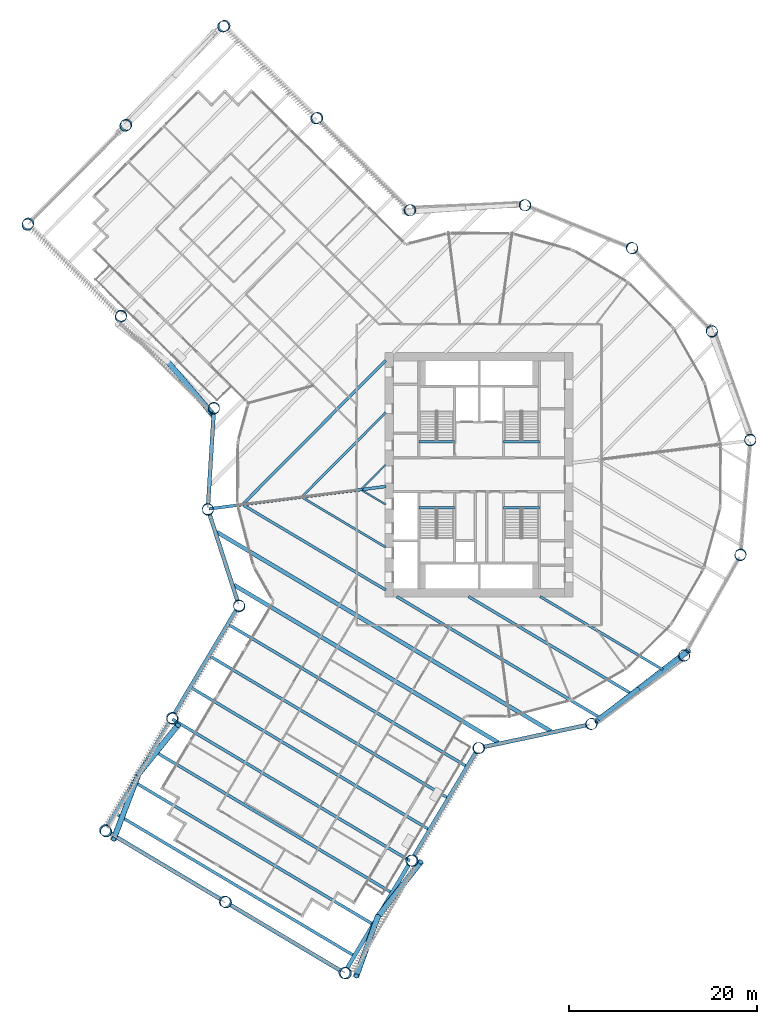
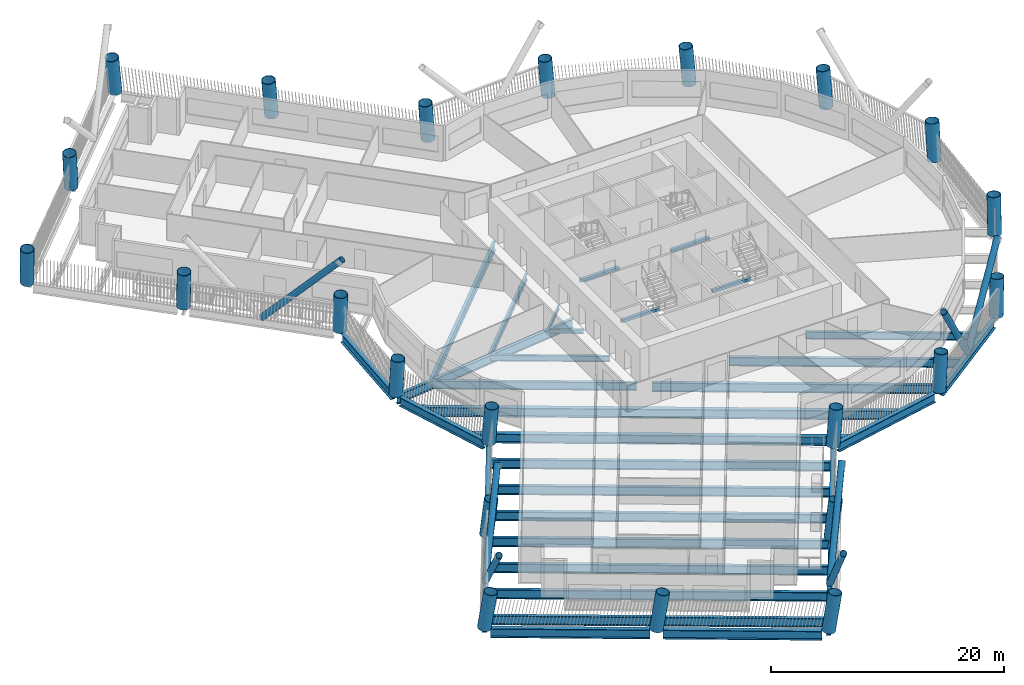
# One storey, part 1 of 22: 33 beams, 22 columns, 7 members.
"""IFC4 building model written with IfcOpenShell, lengths in metres."""

from ifc_helpers import new_model, si_unit, direction, frame, origin, origin_2d, place, context, subcontext, project, spatial, rectangle, hollow_circle, i_section, extrude, material, material_profile, profile_set, type_object, element, save


model = new_model("IFC4")

# Units and contexts
model_context = context("Model", 3, precision=1e-05, world=origin(), true_north=direction((0.0, 1.0)))
body_context = subcontext(model_context, "Body", "Model", "MODEL_VIEW")
ifc_project = project(units=[si_unit("LENGTHUNIT", "METRE"), si_unit("AREAUNIT", "SQUARE_METRE"), si_unit("VOLUMEUNIT", "CUBIC_METRE"), si_unit("PLANEANGLEUNIT", "RADIAN"), si_unit("MASSUNIT", "GRAM", prefix="KILO")], contexts=[model_context])

# Site, building, storey
site_placement = place(None, origin())
site = spatial("IfcSite", under=ifc_project, at=site_placement, CompositionType="ELEMENT")
building_placement = place(site_placement, origin())
building = spatial("IfcBuilding", under=site, at=building_placement, Name="Tarsis Ring Headquarters", CompositionType="ELEMENT")
storey_placement = place(building_placement, frame((0.0, 0.0, 79.0)))
storey = spatial("IfcBuildingStorey", under=building, at=storey_placement, Name="L17", CompositionType="ELEMENT", Elevation=79.0)

# Columns
ifc_material_1 = material(Name="Structural steel S460", Category="steel")
ifc_material_profile_1 = material_profile(ifc_material_1, hollow_circle(Radius=0.609619140625, WallThickness=0.050048828125, at=origin_2d()), Name="CHS 1219x50")
ifc_profile_set_1 = profile_set([ifc_material_profile_1], Name="Structural steel S460")
column_type = type_object("IfcColumnType", Name="XC Exo column CHS 1219x50", PredefinedType="COLUMN", material=ifc_profile_set_1)
for number, where, z_axis, x_axis, name in (
    (1, (-28.8193359375, -3.640869140625, 0.000732421875), (0.010138693156, -0.077104135605, 0.996971493662), (0.991465248625, 0.130371242108, 0.0), "Exo column XC1 F1"),
    (2, (-25.511474609375, -13.891845703125, 0.000732421875), (0.037550579124, -0.06815430111, 0.996967875735), (0.875859069396, 0.482566980384, 0.0), "Exo column XC1 AK"),
):
    element("IfcColumn", number, at=place(storey_placement, frame(where, z_axis=z_axis, x_axis=x_axis)), inside=storey, type_object=column_type, Name=name, PredefinedType="COLUMN", context=body_context, shape_type="SweptSolid", body=[
        extrude(hollow_circle(Radius=0.609619140625, WallThickness=0.050048828125, at=origin_2d()), origin(), (0.0, 0.0, 1.0), 3.90087890625),
    ])
column_1_placement = place(storey_placement, frame((-32.6298828125, -25.83349609375, 0.000732421875), z_axis=(0.069385421663, -0.086684937235, 0.993816575087), x_axis=(0.780704157849, 0.624900806463, 0.0)))
element("IfcColumn", 3, at=column_1_placement, inside=storey, type_object=column_type, Name="Exo column XC1 AI1", PredefinedType="COLUMN", context=body_context, shape_type="SweptSolid", body=[
    extrude(hollow_circle(Radius=0.609619140625, WallThickness=0.050048828125, at=origin_2d()), origin(), (0.0, 0.0, 1.0), 3.9091796875),
])
column_2_placement = place(storey_placement, frame((-39.748291015625, -37.77490234375, 0.0009765625), z_axis=(0.100894025085, -0.105064228466, 0.989334070776), x_axis=(0.721276307206, 0.692647449041, 0.0)))
element("IfcColumn", 4, at=column_2_placement, inside=storey, type_object=column_type, Name="Exo column XC1 AT1", PredefinedType="COLUMN", context=body_context, shape_type="SweptSolid", body=[
    extrude(hollow_circle(Radius=0.609619140625, WallThickness=0.050048828125, at=origin_2d()), origin(), (0.0, 0.0, 1.0), 3.92236328125),
])
column_3_placement = place(storey_placement, frame((-27.03564453125, -45.353271484375, 0.0009765625), z_axis=(0.120952305837, -0.071188715536, 0.990102371724), x_axis=(0.507233441879, 0.861808700025, 0.0)))
element("IfcColumn", 5, at=column_3_placement, inside=storey, type_object=column_type, Name="Exo column XC1 AT2", PredefinedType="COLUMN", context=body_context, shape_type="SweptSolid", body=[
    extrude(hollow_circle(Radius=0.609619140625, WallThickness=0.050048828125, at=origin_2d()), origin(), (0.0, 0.0, 1.0), 3.919921875),
])
column_4_placement = place(storey_placement, frame((-14.3232421875, -52.931396484375, 0.0009765625), z_axis=(0.140852472925, -0.037282647495, 0.989328350482), x_axis=(0.255880818891, 0.96670833581, 0.0)))
element("IfcColumn", 6, at=column_4_placement, inside=storey, type_object=column_type, Name="Exo column XC1 AT3", PredefinedType="COLUMN", context=body_context, shape_type="SweptSolid", body=[
    extrude(hollow_circle(Radius=0.609619140625, WallThickness=0.050048828125, at=origin_2d()), origin(), (0.0, 0.0, 1.0), 3.92236328125),
])
column_5_placement = place(storey_placement, frame((-7.20458984375, -40.98974609375, 0.000732421875), z_axis=(0.109479997922, -0.018673428054, 0.993813580678), x_axis=(0.168136538051, 0.985763716401, 0.0)))
element("IfcColumn", 7, at=column_5_placement, inside=storey, type_object=column_type, Name="Exo column XC1 AO1", PredefinedType="COLUMN", context=body_context, shape_type="SweptSolid", body=[
    extrude(hollow_circle(Radius=0.609619140625, WallThickness=0.050048828125, at=origin_2d()), origin(), (0.0, 0.0, 1.0), 3.9091796875),
])
for number, where, z_axis, x_axis, name in (
    (8, (-0.086181640625, -29.04833984375, 0.000732421875), (0.077792414561, 0.000187753213, 0.996969560712), (-0.002413508658, 0.999997087484, 0.0), "Exo column XC1 AJ"),
    (9, (11.89501953125, -26.50146484375, 0.000732421875), (0.070783054432, 0.032231010639, 0.996970872773), (-0.414409116709, 0.910090700968, 0.0), "Exo column XC1 R1"),
    (10, (21.76123046875, -19.242431640625, 0.000732421875), (0.051194214071, 0.058516613883, 0.996972897498), (-0.752626556596, 0.658447618498, 0.0), "Exo column XC1 R2"),
    (11, (27.758056640625, -8.56201171875, 0.000732421875), (0.022530462196, 0.074413109864, 0.996972952168), (-0.957092078566, 0.289783976689, 0.0), "Exo column XC1 R3"),
    (12, (28.8193359375, 3.640869140625, 0.000732421875), (-0.010138693156, 0.077104135605, 0.996971493662), (-0.991465248625, -0.130371242108, 0.0), "Exo column XC1 R4"),
    (13, (24.756591796875, 15.1962890625, 0.000732421875), (-0.040993026311, 0.066026935508, 0.99697543379), (-0.849577949261, -0.527463086982, 0.0), "Exo column XC1 R5"),
    (14, (16.2919921875, 24.049560546875, 0.000732421875), (-0.064587253242, 0.043308507019, 0.996971845108), (-0.55692690447, -0.830561510713, 0.0), "Exo column XC1 R6"),
    (15, (4.9306640625, 28.626953125, 0.000732421875), (-0.076728473227, 0.012829801804, 0.996969476755), (-0.164920796748, -0.986306813725, 0.0), "Exo column XC1 R7"),
    (16, (-7.3076171875, 28.1142578125, 0.000732421875), (-0.075164001473, -0.019964460008, 0.996971310128), (0.256710866525, -0.966488246699, 0.0), "Exo column XC1 BJ"),
):
    element("IfcColumn", number, at=place(storey_placement, frame(where, z_axis=z_axis, x_axis=x_axis)), inside=storey, type_object=column_type, Name=name, PredefinedType="COLUMN", context=body_context, shape_type="SweptSolid", body=[
        extrude(hollow_circle(Radius=0.609619140625, WallThickness=0.050048828125, at=origin_2d()), origin(), (0.0, 0.0, 1.0), 3.90087890625),
    ])
column_6_placement = place(storey_placement, frame((-17.172119140625, 37.910400390625, 0.000732421875), z_axis=(-0.100923730085, -0.04640243283, 0.993811458443), x_axis=(0.417738546361, -0.90856728253, 0.0)))
element("IfcColumn", 17, at=column_6_placement, inside=storey, type_object=column_type, Name="Exo column XC1 BO1", PredefinedType="COLUMN", context=body_context, shape_type="SweptSolid", body=[
    extrude(hollow_circle(Radius=0.609619140625, WallThickness=0.050048828125, at=origin_2d()), origin(), (0.0, 0.0, 1.0), 3.9091796875),
])
column_7_placement = place(storey_placement, frame((-27.036865234375, 47.706298828125, 0.0009765625), z_axis=(-0.126350659254, -0.072511585237, 0.989331886129), x_axis=(0.497748496047, -0.867321413712, 0.0)))
element("IfcColumn", 18, at=column_7_placement, inside=storey, type_object=column_type, Name="Exo column XC1 BT3", PredefinedType="COLUMN", context=body_context, shape_type="SweptSolid", body=[
    extrude(hollow_circle(Radius=0.609619140625, WallThickness=0.050048828125, at=origin_2d()), origin(), (0.0, 0.0, 1.0), 3.92236328125),
])
column_8_placement = place(storey_placement, frame((-37.46533203125, 37.20458984375, 0.0009765625), z_axis=(-0.098405287118, -0.100149178282, 0.990094208425), x_axis=(0.713289743756, -0.700869275581, 0.0)))
element("IfcColumn", 19, at=column_8_placement, inside=storey, type_object=column_type, Name="Exo column XC1 BT2", PredefinedType="COLUMN", context=body_context, shape_type="SweptSolid", body=[
    extrude(hollow_circle(Radius=0.609619140625, WallThickness=0.050048828125, at=origin_2d()), origin(), (0.0, 0.0, 1.0), 3.919921875),
])
column_9_placement = place(storey_placement, frame((-47.89404296875, 26.702880859375, 0.0009765625), z_axis=(-0.070271017829, -0.127595736536, 0.989333771824), x_axis=(0.87594512597, -0.482410754741, 0.0)))
element("IfcColumn", 20, at=column_9_placement, inside=storey, type_object=column_type, Name="Exo column XC1 BT1", PredefinedType="COLUMN", context=body_context, shape_type="SweptSolid", body=[
    extrude(hollow_circle(Radius=0.609619140625, WallThickness=0.050048828125, at=origin_2d()), origin(), (0.0, 0.0, 1.0), 3.92236328125),
])
column_10_placement = place(storey_placement, frame((-38.029296875, 16.906982421875, 0.000732421875), z_axis=(-0.044591307448, -0.101735630019, 0.993811590235), x_axis=(0.915886145117, -0.401438126221, 0.0)))
element("IfcColumn", 21, at=column_10_placement, inside=storey, type_object=column_type, Name="Exo column XC1 BI1", PredefinedType="COLUMN", context=body_context, shape_type="SweptSolid", body=[
    extrude(hollow_circle(Radius=0.609619140625, WallThickness=0.050048828125, at=origin_2d()), origin(), (0.0, 0.0, 1.0), 3.9091796875),
])
column_11_placement = place(storey_placement, frame((-28.164794921875, 7.111083984375, 0.000732421875), z_axis=(-0.018587568081, -0.075539376006, 0.996969560712), x_axis=(0.971034983582, -0.238937357186, 0.0)))
element("IfcColumn", 22, at=column_11_placement, inside=storey, type_object=column_type, Name="Exo column XC1 BK", PredefinedType="COLUMN", context=body_context, shape_type="SweptSolid", body=[
    extrude(hollow_circle(Radius=0.609619140625, WallThickness=0.050048828125, at=origin_2d()), origin(), (0.0, 0.0, 1.0), 3.90087890625),
])

# Beams
ifc_material_2 = material(Name="Structural steel S355", Category="steel")
ifc_material_profile_2 = material_profile(ifc_material_2, i_section(OverallWidth=0.177734375, OverallDepth=0.406494140625, WebThickness=0.0078125, FlangeThickness=0.0126953125, at=origin_2d()), Name="W16x40")
ifc_profile_set_2 = profile_set([ifc_material_profile_2], Name="Structural steel S355")
beam_type_1 = type_object("IfcBeamType", Name="FB Floor beam W16x40", PredefinedType="JOIST", material=ifc_profile_set_2)
beam_1_placement = place(storey_placement, frame((-12.439208984375, -1.66552734375, -0.36328125), z_axis=(0.858984202727, -0.512002089318, 0.0), x_axis=(0.512002089318, 0.858984202727, 0.0)))
element("IfcBeam", 23, at=beam_1_placement, inside=storey, type_object=beam_type_1, Name="Floor beam FB1", PredefinedType="JOIST", context=body_context, shape_type="SweptSolid", body=[
    extrude(i_section(OverallWidth=0.177734375, OverallDepth=0.406494140625, WebThickness=0.0078125, FlangeThickness=0.0126953125, at=origin_2d()), origin(), (0.0, 0.0, 1.0), 2.939697265625),
])
beam_2_placement = place(storey_placement, frame((-9.929443359375, 1.070556640625, -0.36328125), z_axis=(-0.704623519505, -0.709581352461, 0.0), x_axis=(0.709581352461, -0.704623519505, 0.0)))
element("IfcBeam", 24, at=beam_2_placement, inside=storey, type_object=beam_type_1, Name="Floor beam FB1", PredefinedType="JOIST", context=body_context, shape_type="SweptSolid", body=[
    extrude(i_section(OverallWidth=0.177734375, OverallDepth=0.406494140625, WebThickness=0.0078125, FlangeThickness=0.0126953125, at=origin_2d()), origin(), (0.0, 0.0, 1.0), 3.5947265625),
])
ifc_material_profile_3 = material_profile(ifc_material_2, i_section(OverallWidth=0.228271484375, OverallDepth=0.607177734375, WebThickness=0.01123046875, FlangeThickness=0.017333984375, at=origin_2d()), Name="W24x76")
ifc_profile_set_3 = profile_set([ifc_material_profile_3], Name="Structural steel S355")
beam_type_2 = type_object("IfcBeamType", Name="FB Floor beam W24x76", PredefinedType="JOIST", material=ifc_profile_set_3)
beam_3_placement = place(storey_placement, frame((-18.723876953125, -2.45947265625, -0.463623046875), z_axis=(0.858959658473, -0.512043264886, 0.0), x_axis=(0.512043264886, 0.858959658473, 0.0)))
element("IfcBeam", 25, at=beam_3_placement, inside=storey, type_object=beam_type_2, Name="Floor beam FB4", PredefinedType="JOIST", context=body_context, shape_type="SweptSolid", body=[
    extrude(i_section(OverallWidth=0.228271484375, OverallDepth=0.607177734375, WebThickness=0.01123046875, FlangeThickness=0.017333984375, at=origin_2d()), origin(), (0.0, 0.0, 1.0), 10.25634765625),
])
ifc_material_profile_4 = material_profile(ifc_material_2, i_section(OverallWidth=0.2529296875, OverallDepth=0.67822265625, WebThickness=0.01171875, FlangeThickness=0.016357421875, at=origin_2d()), Name="W27x84")
ifc_profile_set_4 = profile_set([ifc_material_profile_4], Name="Structural steel S355")
beam_type_3 = type_object("IfcBeamType", Name="FB Floor beam W27x84", PredefinedType="JOIST", material=ifc_profile_set_4)
beam_4_placement = place(storey_placement, frame((-9.929443359375, 6.605224609375, -0.4990234375), z_axis=(-0.704644310653, -0.709560705976, 0.0), x_axis=(0.709560705976, -0.704644310653, 0.0)))
element("IfcBeam", 26, at=beam_4_placement, inside=storey, type_object=beam_type_3, Name="Floor beam FB5", PredefinedType="JOIST", context=body_context, shape_type="SweptSolid", body=[
    extrude(i_section(OverallWidth=0.2529296875, OverallDepth=0.67822265625, WebThickness=0.01171875, FlangeThickness=0.016357421875, at=origin_2d()), origin(), (0.0, 0.0, 1.0), 12.513916015625),
])
ifc_material_profile_5 = material_profile(ifc_material_2, i_section(OverallWidth=0.2666015625, OverallDepth=0.7568359375, WebThickness=0.013916015625, FlangeThickness=0.019287109375, at=origin_2d()), Name="W30x108")
ifc_profile_set_5 = profile_set([ifc_material_profile_5], Name="Structural steel S355")
beam_type_4 = type_object("IfcBeamType", Name="FB Floor beam W30x108", PredefinedType="JOIST", material=ifc_profile_set_5)
beam_5_placement = place(storey_placement, frame((6.48876953125, -12.94873046875, -0.538330078125), z_axis=(0.858959750332, -0.512043110793, 0.0), x_axis=(0.512043110793, 0.858959750332, 0.0)))
element("IfcBeam", 27, at=beam_5_placement, inside=storey, type_object=beam_type_4, Name="Floor beam FB6", PredefinedType="JOIST", context=body_context, shape_type="SweptSolid", body=[
    extrude(i_section(OverallWidth=0.2666015625, OverallDepth=0.7568359375, WebThickness=0.013916015625, FlangeThickness=0.019287109375, at=origin_2d()), origin(), (0.0, 0.0, 1.0), 15.193115234375),
])
ifc_material_profile_6 = material_profile(ifc_material_2, i_section(OverallWidth=0.2919921875, OverallDepth=0.835693359375, WebThickness=0.013916015625, FlangeThickness=0.018798828125, at=origin_2d()), Name="W33x118")
ifc_profile_set_6 = profile_set([ifc_material_profile_6], Name="Structural steel S355")
beam_type_5 = type_object("IfcBeamType", Name="FB Floor beam W33x118", PredefinedType="JOIST", material=ifc_profile_set_6)
beam_6_placement = place(storey_placement, frame((-25.008544921875, -3.25341796875, -0.577880859375), z_axis=(0.858961662892, -0.51203990243, 0.0), x_axis=(0.51203990243, 0.858961662892, 0.0)))
element("IfcBeam", 28, at=beam_6_placement, inside=storey, type_object=beam_type_5, Name="Floor beam FB7", PredefinedType="JOIST", context=body_context, shape_type="SweptSolid", body=[
    extrude(i_section(OverallWidth=0.2919921875, OverallDepth=0.835693359375, WebThickness=0.013916015625, FlangeThickness=0.018798828125, at=origin_2d()), origin(), (0.0, 0.0, 1.0), 17.572998046875),
])
ifc_material_profile_7 = material_profile(ifc_material_2, i_section(OverallWidth=0.3046875, OverallDepth=0.904296875, WebThickness=0.01513671875, FlangeThickness=0.02001953125, at=origin_2d()), Name="W36x135")
ifc_profile_set_7 = profile_set([ifc_material_profile_7], Name="Structural steel S355")
beam_type_6 = type_object("IfcBeamType", Name="FB Floor beam W36x135", PredefinedType="JOIST", material=ifc_profile_set_7)
beam_7_placement = place(storey_placement, frame((-1.1279296875, -12.94873046875, -0.612060546875), z_axis=(0.858960438105, -0.512041957041, 0.0), x_axis=(0.512041957041, 0.858960438105, 0.0)))
element("IfcBeam", 29, at=beam_7_placement, inside=storey, type_object=beam_type_6, Name="Floor beam FB8", PredefinedType="JOIST", context=body_context, shape_type="SweptSolid", body=[
    extrude(i_section(OverallWidth=0.3046875, OverallDepth=0.904296875, WebThickness=0.01513671875, FlangeThickness=0.02001953125, at=origin_2d()), origin(), (0.0, 0.0, 1.0), 20.091796875),
])
ifc_material_profile_8 = material_profile(ifc_material_2, i_section(OverallWidth=0.3046875, OverallDepth=0.91943359375, WebThickness=0.017333984375, FlangeThickness=0.02783203125, at=origin_2d()), Name="W36x170")
ifc_profile_set_8 = profile_set([ifc_material_profile_8], Name="Structural steel S355")
beam_type_7 = type_object("IfcBeamType", Name="FB Floor beam W36x170", PredefinedType="JOIST", material=ifc_profile_set_8)
beam_8_placement = place(storey_placement, frame((-9.929443359375, 12.14013671875, -0.61962890625), z_axis=(-0.704636367374, -0.709568594129, 0.0), x_axis=(0.709568594129, -0.704636367374, 0.0)))
element("IfcBeam", 30, at=beam_8_placement, inside=storey, type_object=beam_type_7, Name="Floor beam FB9", PredefinedType="JOIST", context=body_context, shape_type="SweptSolid", body=[
    extrude(i_section(OverallWidth=0.3046875, OverallDepth=0.91943359375, WebThickness=0.017333984375, FlangeThickness=0.02783203125, at=origin_2d()), origin(), (0.0, 0.0, 1.0), 21.43310546875),
])
ifc_material_profile_9 = material_profile(ifc_material_2, i_section(OverallWidth=0.309814453125, OverallDepth=0.93212890625, WebThickness=0.02099609375, FlangeThickness=0.034423828125, at=origin_2d()), Name="W36x210")
ifc_profile_set_9 = profile_set([ifc_material_profile_9], Name="Structural steel S355")
beam_type_8 = type_object("IfcBeamType", Name="FB Floor beam W36x210", PredefinedType="JOIST", material=ifc_profile_set_9)
beam_9_placement = place(storey_placement, frame((-8.744384765625, -12.94873046875, -0.626220703125), z_axis=(0.858960030232, -0.512042641256, 0.0), x_axis=(0.512042641256, 0.858960030232, 0.0)))
element("IfcBeam", 31, at=beam_9_placement, inside=storey, type_object=beam_type_8, Name="Floor beam FB10", PredefinedType="JOIST", context=body_context, shape_type="SweptSolid", body=[
    extrude(i_section(OverallWidth=0.309814453125, OverallDepth=0.93212890625, WebThickness=0.02099609375, FlangeThickness=0.034423828125, at=origin_2d()), origin(), (0.0, 0.0, 1.0), 24.989990234375),
])
ifc_material_profile_10 = material_profile(ifc_material_2, i_section(OverallWidth=0.309814453125, OverallDepth=0.949951171875, WebThickness=0.0244140625, FlangeThickness=0.0439453125, at=origin_2d()), Name="W36x256")
ifc_profile_set_10 = profile_set([ifc_material_profile_10], Name="Structural steel S355")
beam_type_9 = type_object("IfcBeamType", Name="FB Floor beam W36x256", PredefinedType="JOIST", material=ifc_profile_set_10)
for number, where, z_axis, x_axis, name in (
    (32, (-26.594970703125, -15.9287109375, -0.635009765625), (0.858956815706, -0.512048033637, 0.0), (0.512048033637, 0.858956815706, 0.0), "Floor beam FB11"),
    (33, (-28.592041015625, -19.27880859375, -0.635009765625), (0.858962650113, -0.512038246335, 0.0), (0.512038246335, 0.858962650113, 0.0), "Floor beam FB11"),
):
    element("IfcBeam", number, at=place(storey_placement, frame(where, z_axis=z_axis, x_axis=x_axis)), inside=storey, type_object=beam_type_9, Name=name, PredefinedType="JOIST", context=body_context, shape_type="SweptSolid", body=[
        extrude(i_section(OverallWidth=0.309814453125, OverallDepth=0.949951171875, WebThickness=0.0244140625, FlangeThickness=0.0439453125, at=origin_2d()), origin(), (0.0, 0.0, 1.0), 29.375732421875),
    ])
for number, where, z_axis, x_axis, name in (
    (34, (-30.589111328125, -22.628662109375, -0.635009765625), (0.858958994766, -0.512044378262, 0.0), (0.512044378262, 0.858958994766, 0.0), "Floor beam FB11"),
    (35, (-32.5859375, -25.978515625, -0.635009765625), (0.858958994766, -0.512044378262, 0.0), (0.512044378262, 0.858958994766, 0.0), "Floor beam FB11"),
):
    element("IfcBeam", number, at=place(storey_placement, frame(where, z_axis=z_axis, x_axis=x_axis)), inside=storey, type_object=beam_type_9, Name=name, PredefinedType="JOIST", context=body_context, shape_type="SweptSolid", body=[
        extrude(i_section(OverallWidth=0.309814453125, OverallDepth=0.949951171875, WebThickness=0.0244140625, FlangeThickness=0.0439453125, at=origin_2d()), origin(), (0.0, 0.0, 1.0), 29.3759765625),
    ])
beam_10_placement = place(storey_placement, frame((-34.5830078125, -29.32861328125, -0.635009765625), z_axis=(0.858962650113, -0.512038246335, 0.0), x_axis=(0.512038246335, 0.858962650113, 0.0)))
element("IfcBeam", 36, at=beam_10_placement, inside=storey, type_object=beam_type_9, Name="Floor beam FB11", PredefinedType="JOIST", context=body_context, shape_type="SweptSolid", body=[
    extrude(i_section(OverallWidth=0.309814453125, OverallDepth=0.949951171875, WebThickness=0.0244140625, FlangeThickness=0.0439453125, at=origin_2d()), origin(), (0.0, 0.0, 1.0), 29.375732421875),
])
for number, where, z_axis, x_axis, name in (
    (37, (-36.579833984375, -32.678466796875, -0.635009765625), (0.858958994766, -0.512044378262, 0.0), (0.512044378262, 0.858958994766, 0.0), "Floor beam FB11"),
    (38, (-38.576904296875, -36.0283203125, -0.635009765625), (0.858958994766, -0.512044378262, 0.0), (0.512044378262, 0.858958994766, 0.0), "Floor beam FB11"),
):
    element("IfcBeam", number, at=place(storey_placement, frame(where, z_axis=z_axis, x_axis=x_axis)), inside=storey, type_object=beam_type_9, Name=name, PredefinedType="JOIST", context=body_context, shape_type="SweptSolid", body=[
        extrude(i_section(OverallWidth=0.309814453125, OverallDepth=0.949951171875, WebThickness=0.0244140625, FlangeThickness=0.0439453125, at=origin_2d()), origin(), (0.0, 0.0, 1.0), 29.3759765625),
    ])
beam_type_10 = type_object("IfcBeamType", Name="FB Floor beam W36x256 spine", PredefinedType="BEAM", material=ifc_profile_set_10)
beam_11_placement = place(storey_placement, frame((-9.90087890625, -1.250732421875, -0.635009765625), z_axis=(-0.992114523087, -0.125334644373, 0.0), x_axis=(0.125334644373, -0.992114523087, 0.0)))
element("IfcBeam", 39, at=beam_11_placement, inside=storey, type_object=beam_type_10, Name="Floor beam SB11", PredefinedType="BEAM", context=body_context, shape_type="SweptSolid", body=[
    extrude(i_section(OverallWidth=0.309814453125, OverallDepth=0.949951171875, WebThickness=0.0244140625, FlangeThickness=0.0439453125, at=origin_2d()), origin(), (0.0, 0.0, 1.0), 18.953125),
])
ifc_material_profile_11 = material_profile(ifc_material_2, i_section(OverallWidth=0.42431640625, OverallDepth=0.947509765625, WebThickness=0.02392578125, FlangeThickness=0.042724609375, at=origin_2d()), Name="W36x302")
ifc_profile_set_11 = profile_set([ifc_material_profile_11], Name="Structural steel S355")
beam_type_11 = type_object("IfcBeamType", Name="FB Floor beam W36x302", PredefinedType="JOIST", material=ifc_profile_set_11)
beam_12_placement = place(storey_placement, frame((-27.877685546875, -6.08349609375, -0.6337890625), z_axis=(0.858958958814, -0.512044438573, 0.0), x_axis=(0.512044438573, 0.858958958814, 0.0)))
element("IfcBeam", 40, at=beam_12_placement, inside=storey, type_object=beam_type_11, Name="Floor beam FB12", PredefinedType="JOIST", context=body_context, shape_type="SweptSolid", body=[
    extrude(i_section(OverallWidth=0.42431640625, OverallDepth=0.947509765625, WebThickness=0.02392578125, FlangeThickness=0.042724609375, at=origin_2d()), origin(), (0.0, 0.0, 1.0), 41.35302734375),
])
beam_13_placement = place(storey_placement, frame((-26.0634765625, -11.705322265625, -0.6337890625), z_axis=(0.858961559658, -0.51204007561, 0.0), x_axis=(0.51204007561, 0.858961559658, 0.0)))
element("IfcBeam", 41, at=beam_13_placement, inside=storey, type_object=beam_type_11, Name="Floor beam FB12", PredefinedType="JOIST", context=body_context, shape_type="SweptSolid", body=[
    extrude(i_section(OverallWidth=0.42431640625, OverallDepth=0.947509765625, WebThickness=0.02392578125, FlangeThickness=0.042724609375, at=origin_2d()), origin(), (0.0, 0.0, 1.0), 32.70458984375),
])
ifc_material_3 = material(Name="Concrete C40/50", Category="concrete")
ifc_material_profile_12 = material_profile(ifc_material_3, rectangle(XDim=0.300048828125, YDim=0.300048828125, at=origin_2d()), Name="Stair head beam 300x300 C40/50")
ifc_profile_set_12 = profile_set([ifc_material_profile_12], Name="Concrete C40/50")
beam_type_12 = type_object("IfcBeamType", Name="Stair head beam 300x300 C40/50", PredefinedType="BEAM", material=ifc_profile_set_12)
for number, where, z_axis, x_axis, name in (
    (42, (-6.39990234375, 3.510009765625, -0.31005859375), (1.0, 0.0, 0.0), (0.0, 1.0, 0.0), "Stair head beam L17 Firefighting stair"),
    (43, (2.60009765625, 3.510009765625, -0.31005859375), (1.0, 0.0, 0.0), (0.0, 1.0, 0.0), "Stair head beam L17 Exit stair B"),
    (44, (-6.39990234375, -3.510009765625, -0.31005859375), (1.0, 0.0, 0.0), (0.0, 1.0, 0.0), "Stair head beam L17 Exit stair C"),
    (45, (2.60009765625, -3.510009765625, -0.31005859375), (1.0, 0.0, 0.0), (0.0, 1.0, 0.0), "Stair head beam L17 Exit stair D"),
):
    element("IfcBeam", number, at=place(storey_placement, frame(where, z_axis=z_axis, x_axis=x_axis)), inside=storey, type_object=beam_type_12, Name=name, PredefinedType="BEAM", context=body_context, shape_type="SweptSolid", body=[
        extrude(rectangle(XDim=0.300048828125, YDim=0.300048828125, at=origin_2d()), origin(), (0.0, 0.0, 1.0), 3.7998046875),
    ])

# Members
ifc_material_profile_13 = material_profile(ifc_material_2, hollow_circle(Radius=0.3046875, WallThickness=0.02490234375, at=origin_2d()), Name="CHS 610x25")
ifc_profile_set_13 = profile_set([ifc_material_profile_13], Name="Structural steel S355")
member_type = type_object("IfcMemberType", Name="XD X brace CHS 610x25", PredefinedType="BRACE", material=ifc_profile_set_13)
member_1_placement = place(storey_placement, frame((-36.189208984375, -31.80419921875, 0.0), z_axis=(-0.245302948852, -0.643213618405, 0.725329376479), x_axis=(0.934357585556, -0.356336782152, 0.0)))
element("IfcMember", 46, at=member_1_placement, inside=storey, type_object=member_type, Name="X brace XD1", PredefinedType="BRACE", context=body_context, shape_type="SweptSolid", body=[
    extrude(hollow_circle(Radius=0.3046875, WallThickness=0.02490234375, at=origin_2d()), origin(), (0.0, 0.0, 1.0), 10.75390625),
])
member_2_placement = place(storey_placement, frame((-36.189208984375, -31.80419921875, 0.0), z_axis=(0.408281932407, 0.505845283609, 0.759885789261), x_axis=(-0.778155750083, 0.628071356306, 0.0)))
element("IfcMember", 47, at=member_2_placement, inside=storey, type_object=member_type, Name="X brace XD1", PredefinedType="BRACE", context=body_context, shape_type="SweptSolid", body=[
    extrude(hollow_circle(Radius=0.3046875, WallThickness=0.02490234375, at=origin_2d()), origin(), (0.0, 0.0, 1.0), 10.2646484375),
])
member_3_placement = place(storey_placement, frame((-10.763916015625, -46.960693359375, 0.0), z_axis=(0.423626044092, 0.541072556048, 0.726485694187), x_axis=(-0.787379296502, 0.61646885034, 0.0)))
element("IfcMember", 48, at=member_3_placement, inside=storey, type_object=member_type, Name="X brace XD1", PredefinedType="BRACE", context=body_context, shape_type="SweptSolid", body=[
    extrude(hollow_circle(Radius=0.3046875, WallThickness=0.02490234375, at=origin_2d()), origin(), (0.0, 0.0, 1.0), 10.736572265625),
])
member_4_placement = place(storey_placement, frame((-10.763916015625, -46.960693359375, 0.0), z_axis=(-0.221780623738, -0.612704290354, 0.75855573791), x_axis=(0.940295608908, -0.340358880989, 0.0)))
element("IfcMember", 49, at=member_4_placement, inside=storey, type_object=member_type, Name="X brace XD1", PredefinedType="BRACE", context=body_context, shape_type="SweptSolid", body=[
    extrude(hollow_circle(Radius=0.3046875, WallThickness=0.02490234375, at=origin_2d()), origin(), (0.0, 0.0, 1.0), 10.28271484375),
])
member_5_placement = place(storey_placement, frame((16.828125, -22.871826171875, 0.0), z_axis=(0.520614599599, 0.401720731895, 0.753379646825), x_axis=(-0.610902365943, 0.791705942434, 0.0)))
element("IfcMember", 50, at=member_5_placement, inside=storey, type_object=member_type, Name="X brace XD1", PredefinedType="BRACE", context=body_context, shape_type="SweptSolid", body=[
    extrude(hollow_circle(Radius=0.3046875, WallThickness=0.02490234375, at=origin_2d()), origin(), (0.0, 0.0, 1.0), 10.353515625),
])
member_6_placement = place(storey_placement, frame((16.828125, -22.871826171875, 0.0), z_axis=(-0.451977036569, -0.350727608407, 0.820187114697), x_axis=(0.613057953444, -0.790037939418, 0.0)))
element("IfcMember", 51, at=member_6_placement, inside=storey, type_object=member_type, Name="X brace XD1", PredefinedType="BRACE", context=body_context, shape_type="SweptSolid", body=[
    extrude(hollow_circle(Radius=0.3046875, WallThickness=0.02490234375, at=origin_2d()), origin(), (0.0, 0.0, 1.0), 9.510009765625),
])
member_7_placement = place(storey_placement, frame((-33.096923828125, 12.009033203125, 0.0), z_axis=(0.445291442467, -0.52085922847, 0.728300209654), x_axis=(0.760091927801, 0.649815559441, 0.0)))
element("IfcMember", 52, at=member_7_placement, inside=storey, type_object=member_type, Name="X brace XD1", PredefinedType="BRACE", context=body_context, shape_type="SweptSolid", body=[
    extrude(hollow_circle(Radius=0.3046875, WallThickness=0.02490234375, at=origin_2d()), origin(), (0.0, 0.0, 1.0), 10.7099609375),
])

# Beams
beam_type_13 = type_object("IfcBeamType", Name="XG Ring girder W36x302", PredefinedType="BEAM", material=ifc_profile_set_11)
beam_14_placement = place(storey_placement, frame((-28.65087890625, -4.162841796875, -0.4736328125), z_axis=(0.307090520065, -0.951680310024, 0.0), x_axis=(0.951680310024, 0.307090520065, 0.0)))
element("IfcBeam", 53, at=beam_14_placement, inside=storey, type_object=beam_type_13, Name="Ring girder XG1", PredefinedType="BEAM", context=body_context, shape_type="SweptSolid", body=[
    extrude(i_section(OverallWidth=0.42431640625, OverallDepth=0.947509765625, WebThickness=0.02392578125, FlangeThickness=0.042724609375, at=origin_2d()), origin(), (0.0, 0.0, 1.0), 9.674560546875),
])
beam_15_placement = place(storey_placement, frame((-25.792236328125, -14.36328125, -0.4736328125), z_axis=(-0.51205994354, -0.85894971577, 0.0), x_axis=(0.85894971577, -0.51205994354, 0.0)))
element("IfcBeam", 54, at=beam_15_placement, inside=storey, type_object=beam_type_13, Name="Ring girder XG1", PredefinedType="BEAM", context=body_context, shape_type="SweptSolid", body=[
    extrude(i_section(OverallWidth=0.42431640625, OverallDepth=0.947509765625, WebThickness=0.02392578125, FlangeThickness=0.042724609375, at=origin_2d()), origin(), (0.0, 0.0, 1.0), 12.804931640625),
])
beam_16_placement = place(storey_placement, frame((-32.910888671875, -26.3046875, -0.4736328125), z_axis=(-0.512045876422, -0.858958101679, 0.0), x_axis=(0.858958101679, -0.512045876422, 0.0)))
element("IfcBeam", 55, at=beam_16_placement, inside=storey, type_object=beam_type_13, Name="Ring girder XG1", PredefinedType="BEAM", context=body_context, shape_type="SweptSolid", body=[
    extrude(i_section(OverallWidth=0.42431640625, OverallDepth=0.947509765625, WebThickness=0.02392578125, FlangeThickness=0.042724609375, at=origin_2d()), origin(), (0.0, 0.0, 1.0), 12.8046875),
])
for number, where, z_axis, x_axis, name in (
    (56, (-39.277099609375, -38.0556640625, -0.4736328125), (0.858951495237, -0.51205695858, 0.0), (0.51205695858, 0.858951495237, 0.0), "Ring girder XG1"),
    (57, (-26.564697265625, -45.634033203125, -0.4736328125), (0.858964002962, -0.512035976875, 0.0), (0.512035976875, 0.858964002962, 0.0), "Ring girder XG1"),
):
    element("IfcBeam", number, at=place(storey_placement, frame(where, z_axis=z_axis, x_axis=x_axis)), inside=storey, type_object=beam_type_13, Name=name, PredefinedType="BEAM", context=body_context, shape_type="SweptSolid", body=[
        extrude(i_section(OverallWidth=0.42431640625, OverallDepth=0.947509765625, WebThickness=0.02392578125, FlangeThickness=0.042724609375, at=origin_2d()), origin(), (0.0, 0.0, 1.0), 13.702880859375),
    ])
beam_17_placement = place(storey_placement, frame((-14.042236328125, -52.4599609375, -0.4736328125), z_axis=(0.512045876422, 0.858958101679, 0.0), x_axis=(-0.858958101679, 0.512045876422, 0.0)))
element("IfcBeam", 58, at=beam_17_placement, inside=storey, type_object=beam_type_13, Name="Ring girder XG1", PredefinedType="BEAM", context=body_context, shape_type="SweptSolid", body=[
    extrude(i_section(OverallWidth=0.42431640625, OverallDepth=0.947509765625, WebThickness=0.02392578125, FlangeThickness=0.042724609375, at=origin_2d()), origin(), (0.0, 0.0, 1.0), 12.8046875),
])
beam_18_placement = place(storey_placement, frame((-6.923828125, -40.5185546875, -0.4736328125), z_axis=(0.51203749066, 0.858963100581, 0.0), x_axis=(-0.858963100581, 0.51203749066, 0.0)))
element("IfcBeam", 59, at=beam_18_placement, inside=storey, type_object=beam_type_13, Name="Ring girder XG1", PredefinedType="BEAM", context=body_context, shape_type="SweptSolid", body=[
    extrude(i_section(OverallWidth=0.42431640625, OverallDepth=0.947509765625, WebThickness=0.02392578125, FlangeThickness=0.042724609375, at=origin_2d()), origin(), (0.0, 0.0, 1.0), 12.804931640625),
])
beam_19_placement = place(storey_placement, frame((0.450439453125, -28.934326171875, -0.4736328125), z_axis=(0.978142322777, 0.207936520104, 0.0), x_axis=(-0.207936520104, 0.978142322777, 0.0)))
element("IfcBeam", 60, at=beam_19_placement, inside=storey, type_object=beam_type_13, Name="Ring girder XG1", PredefinedType="BEAM", context=body_context, shape_type="SweptSolid", body=[
    extrude(i_section(OverallWidth=0.42431640625, OverallDepth=0.947509765625, WebThickness=0.02392578125, FlangeThickness=0.042724609375, at=origin_2d()), origin(), (0.0, 0.0, 1.0), 11.151611328125),
])
beam_20_placement = place(storey_placement, frame((12.3369140625, -26.17626953125, -0.4736328125), z_axis=(0.805475499196, 0.592629074712, 0.0), x_axis=(-0.592629074712, 0.805475499196, 0.0)))
element("IfcBeam", 61, at=beam_20_placement, inside=storey, type_object=beam_type_13, Name="Ring girder XG1", PredefinedType="BEAM", context=body_context, shape_type="SweptSolid", body=[
    extrude(i_section(OverallWidth=0.42431640625, OverallDepth=0.947509765625, WebThickness=0.02392578125, FlangeThickness=0.042724609375, at=origin_2d()), origin(), (0.0, 0.0, 1.0), 11.1513671875),
])
beam_21_placement = place(storey_placement, frame((-28.197998046875, 6.5634765625, -0.4736328125), z_axis=(-0.060792969085, -0.998150396939, 0.0), x_axis=(0.998150396939, -0.060792969085, 0.0)))
element("IfcBeam", 62, at=beam_21_placement, inside=storey, type_object=beam_type_13, Name="Ring girder XG1", PredefinedType="BEAM", context=body_context, shape_type="SweptSolid", body=[
    extrude(i_section(OverallWidth=0.42431640625, OverallDepth=0.947509765625, WebThickness=0.02392578125, FlangeThickness=0.042724609375, at=origin_2d()), origin(), (0.0, 0.0, 1.0), 9.67431640625),
])

save(model, "model.ifc")
